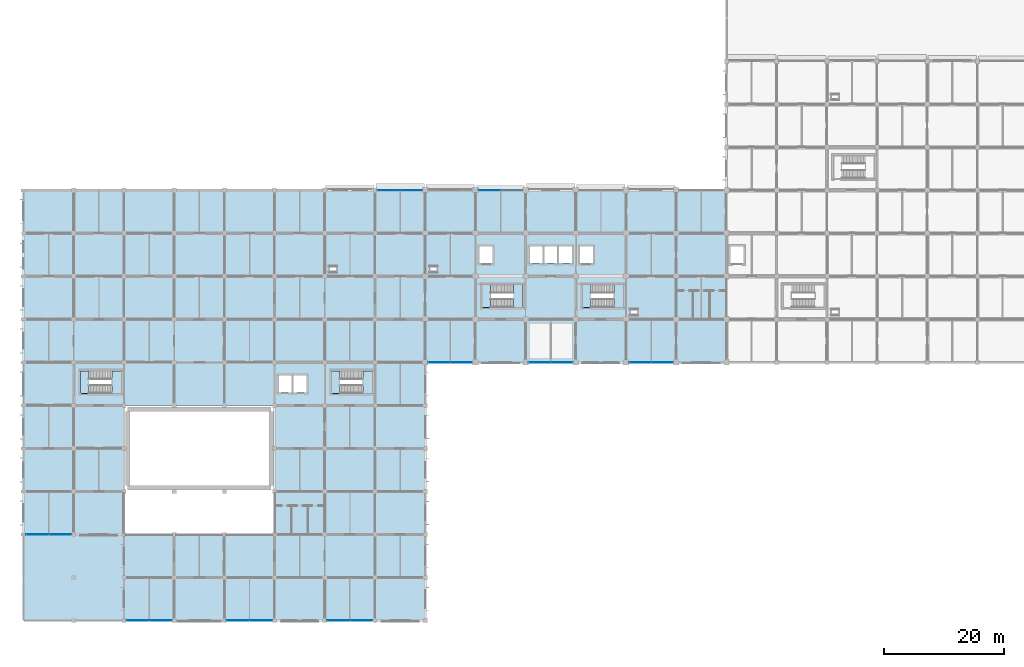
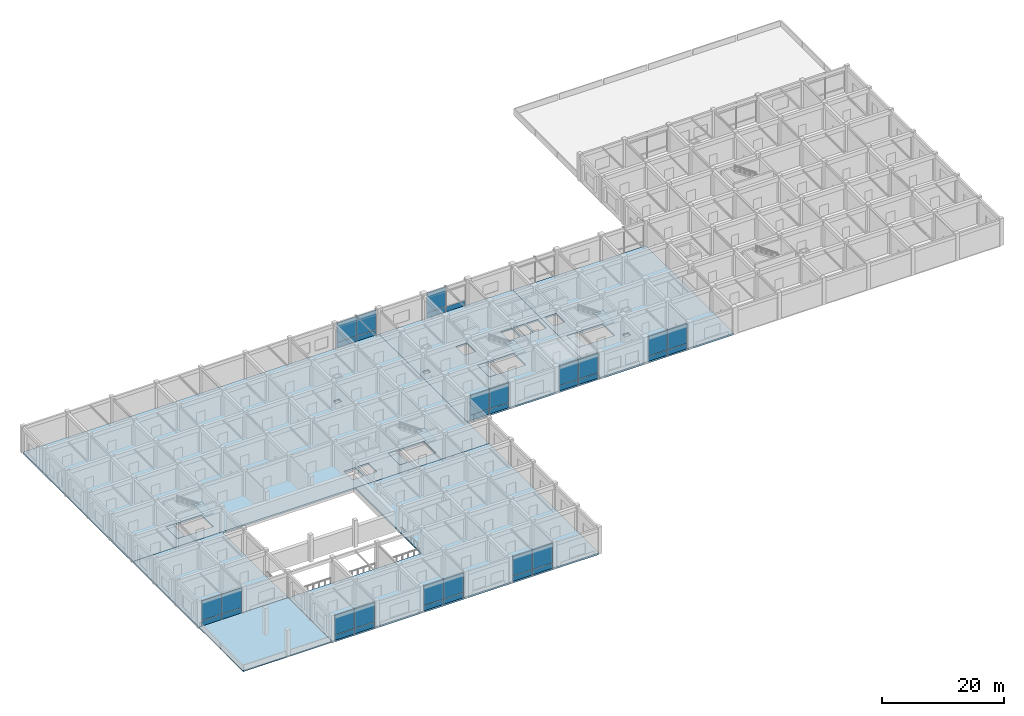
# One storey, part 16 of 41: 35 plates, 14 slabs, 13 elements without a shape of their own.
"""IFC4 building model written with IfcOpenShell, lengths in metres."""

from ifc_helpers import new_model, si_unit, derived_unit, direction, frame, origin, origin_2d, place, context, subcontext, project, spatial, polyline, rectangle, outline, extrude, material, layer, layer_set, type_object, element, aggregate, save


model = new_model("IFC4")

# Units and contexts
model_context = context("Model", 3, precision=1e-05, world=origin(), true_north=direction((0.0, 1.0)))
body_context = subcontext(model_context, "Body", "Model", "MODEL_VIEW")
ifc_project = project(units=[si_unit("LENGTHUNIT", "METRE"), si_unit("AREAUNIT", "SQUARE_METRE"), si_unit("VOLUMEUNIT", "CUBIC_METRE"), si_unit("PLANEANGLEUNIT", "RADIAN"), si_unit("MASSUNIT", "GRAM", prefix="KILO"), derived_unit("THERMALTRANSMITTANCEUNIT", [(si_unit("MASSUNIT", "GRAM", prefix="KILO"), 1), (si_unit("TIMEUNIT", "SECOND"), -3), (si_unit("THERMODYNAMICTEMPERATUREUNIT", "KELVIN"), -1)])], contexts=[model_context])

# Site, building, storey
site_placement = place(None, origin())
site = spatial("IfcSite", under=ifc_project, at=site_placement, CompositionType="ELEMENT")
building_placement = place(site_placement, origin())
building = spatial("IfcBuilding", under=site, at=building_placement, Name="Veldstrom Oceanarium and Marine Research Institute", CompositionType="ELEMENT")
storey_placement = place(building_placement, frame((0.0, 0.0, 6.0)))
storey = spatial("IfcBuildingStorey", under=building, at=storey_placement, Name="L01", CompositionType="ELEMENT", Elevation=6.0)

# Curtain wall, plates
ifc_material_1 = material(Name="Anodised Aluminium Framing", Category="aluminium")
curtain_wall_type = type_object("IfcCurtainWallType", Name="ARC-CW-CW02", PredefinedType="USERDEFINED", material=ifc_material_1)
curtain_wall_1_placement = place(storey_placement, origin())
curtain_wall_1 = element("IfcCurtainWall", 1, at=curtain_wall_1_placement, inside=storey, type_object=curtain_wall_type, Name="Curtain Wall CW02 CW-L01-003", ObjectType="Curtain wall", PredefinedType="USERDEFINED")
ifc_material_2 = material(Name="Insulated Aluminium Spandrel", Category="aluminium")
ifc_layer_1 = layer(ifc_material_2, 0.044921875)
ifc_layer_set_1 = layer_set([ifc_layer_1], Name="ARC-PLT-CP02")
plate_type_1 = type_object("IfcPlateType", Name="ARC-PLT-CP02", PredefinedType="CURTAIN_PANEL", material=ifc_layer_set_1)
plate_1_placement = place(storey_placement, frame((2.33251953125, 14.39990234375, 0.02001953125), z_axis=(0.0, 0.0, 1.0), x_axis=(1.0, 0.0, 0.0)))
plate_1 = element("IfcPlate", 2, at=plate_1_placement, type_object=plate_type_1, Name="Curtain Spandrel Panel CW-L01-003-PNL-S1", PredefinedType="CURTAIN_PANEL", context=body_context, shape_type="SweptSolid", body=[
    extrude(rectangle(XDim=3.705078125, YDim=0.044921875, at=origin_2d()), origin(), (0.0, 0.0, 1.0), 0.989990234375),
])
plate_2_placement = place(storey_placement, frame((6.117431640625, 14.39990234375, 0.02001953125), z_axis=(0.0, 0.0, 1.0), x_axis=(1.0, 0.0, 0.0)))
plate_2 = element("IfcPlate", 3, at=plate_2_placement, type_object=plate_type_1, Name="Curtain Spandrel Panel CW-L01-003-PNL-S2", PredefinedType="CURTAIN_PANEL", context=body_context, shape_type="SweptSolid", body=[
    extrude(rectangle(XDim=3.705078125, YDim=0.044921875, at=origin_2d()), origin(), (0.0, 0.0, 1.0), 0.989990234375),
])

curtain_wall_2_placement = place(storey_placement, origin())
curtain_wall_2 = element("IfcCurtainWall", 4, at=curtain_wall_2_placement, inside=storey, type_object=curtain_wall_type, Name="Curtain Wall CW02 CW-L01-004", ObjectType="Curtain wall", PredefinedType="USERDEFINED")
plate_3_placement = place(storey_placement, frame((19.094970703125, 0.0, 0.02001953125), z_axis=(0.0, 0.0, 1.0), x_axis=(1.0, 0.0, 0.0)))
plate_3 = element("IfcPlate", 5, at=plate_3_placement, type_object=plate_type_1, Name="Curtain Spandrel Panel CW-L01-004-PNL-S1", PredefinedType="CURTAIN_PANEL", context=body_context, shape_type="SweptSolid", body=[
    extrude(rectangle(XDim=3.72998046875, YDim=0.044921875, at=origin_2d()), origin(), (0.0, 0.0, 1.0), 0.989990234375),
])
plate_4_placement = place(storey_placement, frame((22.905029296875, 0.0, 0.02001953125), z_axis=(0.0, 0.0, 1.0), x_axis=(1.0, 0.0, 0.0)))
plate_4 = element("IfcPlate", 6, at=plate_4_placement, type_object=plate_type_1, Name="Curtain Spandrel Panel CW-L01-004-PNL-S2", PredefinedType="CURTAIN_PANEL", context=body_context, shape_type="SweptSolid", body=[
    extrude(rectangle(XDim=3.72998046875, YDim=0.044921875, at=origin_2d()), origin(), (0.0, 0.0, 1.0), 0.989990234375),
])

curtain_wall_3_placement = place(storey_placement, origin())
curtain_wall_3 = element("IfcCurtainWall", 7, at=curtain_wall_3_placement, inside=storey, type_object=curtain_wall_type, Name="Curtain Wall CW02 CW-L01-005", ObjectType="Curtain wall", PredefinedType="USERDEFINED")
plate_5_placement = place(storey_placement, frame((35.89501953125, 0.0, 0.02001953125), z_axis=(0.0, 0.0, 1.0), x_axis=(1.0, 0.0, 0.0)))
plate_5 = element("IfcPlate", 8, at=plate_5_placement, type_object=plate_type_1, Name="Curtain Spandrel Panel CW-L01-005-PNL-S1", PredefinedType="CURTAIN_PANEL", context=body_context, shape_type="SweptSolid", body=[
    extrude(rectangle(XDim=3.72998046875, YDim=0.044921875, at=origin_2d()), origin(), (0.0, 0.0, 1.0), 0.989990234375),
])
plate_6_placement = place(storey_placement, frame((39.705078125, 0.0, 0.02001953125), z_axis=(0.0, 0.0, 1.0), x_axis=(1.0, 0.0, 0.0)))
plate_6 = element("IfcPlate", 9, at=plate_6_placement, type_object=plate_type_1, Name="Curtain Spandrel Panel CW-L01-005-PNL-S2", PredefinedType="CURTAIN_PANEL", context=body_context, shape_type="SweptSolid", body=[
    extrude(rectangle(XDim=3.72998046875, YDim=0.044921875, at=origin_2d()), origin(), (0.0, 0.0, 1.0), 0.989990234375),
])

curtain_wall_4_placement = place(storey_placement, origin())
curtain_wall_4 = element("IfcCurtainWall", 10, at=curtain_wall_4_placement, inside=storey, type_object=curtain_wall_type, Name="Curtain Wall CW02 CW-L01-006", ObjectType="Curtain wall", PredefinedType="USERDEFINED")
plate_7_placement = place(storey_placement, frame((52.688720703125, 0.0, 0.02001953125), z_axis=(0.0, 0.0, 1.0), x_axis=(1.0, 0.0, 0.0)))
plate_7 = element("IfcPlate", 11, at=plate_7_placement, type_object=plate_type_1, Name="Curtain Spandrel Panel CW-L01-006-PNL-S1", PredefinedType="CURTAIN_PANEL", context=body_context, shape_type="SweptSolid", body=[
    extrude(rectangle(XDim=3.717529296875, YDim=0.044921875, at=origin_2d()), origin(), (0.0, 0.0, 1.0), 0.989990234375),
])
plate_8_placement = place(storey_placement, frame((56.486083984375, 0.0, 0.02001953125), z_axis=(0.0, 0.0, 1.0), x_axis=(1.0, 0.0, 0.0)))
plate_8 = element("IfcPlate", 12, at=plate_8_placement, type_object=plate_type_1, Name="Curtain Spandrel Panel CW-L01-006-PNL-S2", PredefinedType="CURTAIN_PANEL", context=body_context, shape_type="SweptSolid", body=[
    extrude(rectangle(XDim=3.717529296875, YDim=0.044921875, at=origin_2d()), origin(), (0.0, 0.0, 1.0), 0.989990234375),
])

curtain_wall_5_placement = place(storey_placement, origin())
curtain_wall_5 = element("IfcCurtainWall", 13, at=curtain_wall_5_placement, inside=storey, type_object=curtain_wall_type, Name="Curtain Wall CW02 CW-L01-007", ObjectType="Curtain wall", PredefinedType="USERDEFINED")
plate_9_placement = place(storey_placement, frame((61.070068359375, 72.0, 0.02001953125), z_axis=(0.0, 0.0, 1.0), x_axis=(1.0, 0.0, 0.0)))
plate_9 = element("IfcPlate", 14, at=plate_9_placement, type_object=plate_type_1, Name="Curtain Spandrel Panel CW-L01-007-PNL-S1", PredefinedType="CURTAIN_PANEL", context=body_context, shape_type="SweptSolid", body=[
    extrude(rectangle(XDim=3.679931640625, YDim=0.044921875, at=origin_2d()), origin(), (0.0, 0.0, 1.0), 0.989990234375),
])
plate_10_placement = place(storey_placement, frame((64.830078125, 72.0, 0.02001953125), z_axis=(0.0, 0.0, 1.0), x_axis=(1.0, 0.0, 0.0)))
plate_10 = element("IfcPlate", 15, at=plate_10_placement, type_object=plate_type_1, Name="Curtain Spandrel Panel CW-L01-007-PNL-S2", PredefinedType="CURTAIN_PANEL", context=body_context, shape_type="SweptSolid", body=[
    extrude(rectangle(XDim=3.679931640625, YDim=0.044921875, at=origin_2d()), origin(), (0.0, 0.0, 1.0), 0.989990234375),
])

curtain_wall_6_placement = place(storey_placement, origin())
curtain_wall_6 = element("IfcCurtainWall", 16, at=curtain_wall_6_placement, inside=storey, type_object=curtain_wall_type, Name="Curtain Wall CW02 CW-L01-008", ObjectType="Curtain wall", PredefinedType="USERDEFINED")
plate_11_placement = place(storey_placement, frame((69.538818359375, 43.199951171875, 0.02001953125), z_axis=(0.0, 0.0, 1.0), x_axis=(1.0, 0.0, 0.0)))
plate_11 = element("IfcPlate", 17, at=plate_11_placement, type_object=plate_type_1, Name="Curtain Spandrel Panel CW-L01-008-PNL-S1", PredefinedType="CURTAIN_PANEL", context=body_context, shape_type="SweptSolid", body=[
    extrude(rectangle(XDim=3.617431640625, YDim=0.044921875, at=origin_2d()), origin(), (0.0, 0.0, 1.0), 0.989990234375),
])
plate_12_placement = place(storey_placement, frame((73.236328125, 43.199951171875, 0.02001953125), z_axis=(0.0, 0.0, 1.0), x_axis=(1.0, 0.0, 0.0)))
plate_12 = element("IfcPlate", 18, at=plate_12_placement, type_object=plate_type_1, Name="Curtain Spandrel Panel CW-L01-008-PNL-S2", PredefinedType="CURTAIN_PANEL", context=body_context, shape_type="SweptSolid", body=[
    extrude(rectangle(XDim=3.617431640625, YDim=0.044921875, at=origin_2d()), origin(), (0.0, 0.0, 1.0), 0.989990234375),
])

curtain_wall_7_placement = place(storey_placement, origin())
curtain_wall_7 = element("IfcCurtainWall", 19, at=curtain_wall_7_placement, inside=storey, type_object=curtain_wall_type, Name="Curtain Wall CW02 CW-L01-009", ObjectType="Curtain wall", PredefinedType="USERDEFINED")
plate_13_placement = place(storey_placement, frame((77.9638671875, 72.0, 0.02001953125), z_axis=(0.0, 0.0, 1.0), x_axis=(1.0, 0.0, 0.0)))
plate_13 = element("IfcPlate", 20, at=plate_13_placement, type_object=plate_type_1, Name="Curtain Spandrel Panel CW-L01-009-PNL-S1", PredefinedType="CURTAIN_PANEL", context=body_context, shape_type="SweptSolid", body=[
    extrude(rectangle(XDim=3.617431640625, YDim=0.044921875, at=origin_2d()), origin(), (0.0, 0.0, 1.0), 0.989990234375),
])
plate_14_placement = place(storey_placement, frame((81.6611328125, 72.0, 0.02001953125), z_axis=(0.0, 0.0, 1.0), x_axis=(1.0, 0.0, 0.0)))
plate_14 = element("IfcPlate", 21, at=plate_14_placement, type_object=plate_type_1, Name="Curtain Spandrel Panel CW-L01-009-PNL-S2", PredefinedType="CURTAIN_PANEL", context=body_context, shape_type="SweptSolid", body=[
    extrude(rectangle(XDim=3.617431640625, YDim=0.044921875, at=origin_2d()), origin(), (0.0, 0.0, 1.0), 0.989990234375),
])

curtain_wall_8_placement = place(storey_placement, origin())
curtain_wall_8 = element("IfcCurtainWall", 22, at=curtain_wall_8_placement, inside=storey, type_object=curtain_wall_type, Name="Curtain Wall CW02 CW-L01-010", ObjectType="Curtain wall", PredefinedType="USERDEFINED")
plate_15_placement = place(storey_placement, frame((86.344970703125, 43.199951171875, 0.02001953125), z_axis=(0.0, 0.0, 1.0), x_axis=(1.0, 0.0, 0.0)))
plate_15 = element("IfcPlate", 23, at=plate_15_placement, type_object=plate_type_1, Name="Curtain Spandrel Panel CW-L01-010-PNL-S1", PredefinedType="CURTAIN_PANEL", context=body_context, shape_type="SweptSolid", body=[
    extrude(rectangle(XDim=3.6298828125, YDim=0.044921875, at=origin_2d()), origin(), (0.0, 0.0, 1.0), 0.989990234375),
])
plate_16_placement = place(storey_placement, frame((90.054931640625, 43.199951171875, 0.02001953125), z_axis=(0.0, 0.0, 1.0), x_axis=(1.0, 0.0, 0.0)))
plate_16 = element("IfcPlate", 24, at=plate_16_placement, type_object=plate_type_1, Name="Curtain Spandrel Panel CW-L01-010-PNL-S2", PredefinedType="CURTAIN_PANEL", context=body_context, shape_type="SweptSolid", body=[
    extrude(rectangle(XDim=3.6298828125, YDim=0.044921875, at=origin_2d()), origin(), (0.0, 0.0, 1.0), 0.989990234375),
])

curtain_wall_9_placement = place(storey_placement, origin())
curtain_wall_9 = element("IfcCurtainWall", 25, at=curtain_wall_9_placement, inside=storey, type_object=curtain_wall_type, Name="Curtain Wall CW02 CW-L01-012", ObjectType="Curtain wall", PredefinedType="USERDEFINED")
plate_17_placement = place(storey_placement, frame((103.163818359375, 43.199951171875, 0.02001953125), z_axis=(0.0, 0.0, 1.0), x_axis=(1.0, 0.0, 0.0)))
plate_17 = element("IfcPlate", 26, at=plate_17_placement, type_object=plate_type_1, Name="Curtain Spandrel Panel CW-L01-012-PNL-S1", PredefinedType="CURTAIN_PANEL", context=body_context, shape_type="SweptSolid", body=[
    extrude(rectangle(XDim=3.617431640625, YDim=0.044921875, at=origin_2d()), origin(), (0.0, 0.0, 1.0), 0.989990234375),
])
plate_18_placement = place(storey_placement, frame((106.861328125, 43.199951171875, 0.02001953125), z_axis=(0.0, 0.0, 1.0), x_axis=(1.0, 0.0, 0.0)))
plate_18 = element("IfcPlate", 27, at=plate_18_placement, type_object=plate_type_1, Name="Curtain Spandrel Panel CW-L01-012-PNL-S2", PredefinedType="CURTAIN_PANEL", context=body_context, shape_type="SweptSolid", body=[
    extrude(rectangle(XDim=3.617431640625, YDim=0.044921875, at=origin_2d()), origin(), (0.0, 0.0, 1.0), 0.989990234375),
])

# Plate
ifc_material_3 = material(Name="Double Glazed Low-E IGU", Category="glass")
ifc_layer_2 = layer(ifc_material_3, 0.035888671875)
ifc_layer_set_2 = layer_set([ifc_layer_2], Name="ARC-PLT-CP09")
plate_type_2 = type_object("IfcPlateType", Name="ARC-PLT-CP09", PredefinedType="CURTAIN_PANEL", material=ifc_layer_set_2)
plate_19_placement = place(storey_placement, frame((2.33251953125, 14.39990234375, 1.08984375), z_axis=(0.0, 0.0, 1.0), x_axis=(1.0, 0.0, 0.0)))
plate_19 = element("IfcPlate", 28, at=plate_19_placement, type_object=plate_type_2, Name="Curtain Vision Panel CW-L01-003-PNL-V1", PredefinedType="CURTAIN_PANEL", context=body_context, shape_type="SweptSolid", body=[
    extrude(rectangle(XDim=3.705078125, YDim=0.035888671875, at=origin_2d()), origin(), (0.0, 0.0, 1.0), 3.965087890625),
])

plate_20_placement = place(storey_placement, frame((6.117431640625, 14.39990234375, 1.08984375), z_axis=(0.0, 0.0, 1.0), x_axis=(1.0, 0.0, 0.0)))
plate_20 = element("IfcPlate", 29, at=plate_20_placement, type_object=plate_type_2, Name="Curtain Vision Panel CW-L01-003-PNL-V2", PredefinedType="CURTAIN_PANEL", context=body_context, shape_type="SweptSolid", body=[
    extrude(rectangle(XDim=3.705078125, YDim=0.035888671875, at=origin_2d()), origin(), (0.0, 0.0, 1.0), 3.965087890625),
])

aggregate(curtain_wall_1, [plate_1, plate_19, plate_2, plate_20])

plate_21_placement = place(storey_placement, frame((19.094970703125, 0.0, 1.08984375), z_axis=(0.0, 0.0, 1.0), x_axis=(1.0, 0.0, 0.0)))
plate_21 = element("IfcPlate", 30, at=plate_21_placement, type_object=plate_type_2, Name="Curtain Vision Panel CW-L01-004-PNL-V1", PredefinedType="CURTAIN_PANEL", context=body_context, shape_type="SweptSolid", body=[
    extrude(rectangle(XDim=3.72998046875, YDim=0.035888671875, at=origin_2d()), origin(), (0.0, 0.0, 1.0), 3.965087890625),
])

plate_22_placement = place(storey_placement, frame((22.905029296875, 0.0, 1.08984375), z_axis=(0.0, 0.0, 1.0), x_axis=(1.0, 0.0, 0.0)))
plate_22 = element("IfcPlate", 31, at=plate_22_placement, type_object=plate_type_2, Name="Curtain Vision Panel CW-L01-004-PNL-V2", PredefinedType="CURTAIN_PANEL", context=body_context, shape_type="SweptSolid", body=[
    extrude(rectangle(XDim=3.72998046875, YDim=0.035888671875, at=origin_2d()), origin(), (0.0, 0.0, 1.0), 3.965087890625),
])

aggregate(curtain_wall_2, [plate_3, plate_21, plate_4, plate_22])

plate_23_placement = place(storey_placement, frame((35.89501953125, 0.0, 1.08984375), z_axis=(0.0, 0.0, 1.0), x_axis=(1.0, 0.0, 0.0)))
plate_23 = element("IfcPlate", 32, at=plate_23_placement, type_object=plate_type_2, Name="Curtain Vision Panel CW-L01-005-PNL-V1", PredefinedType="CURTAIN_PANEL", context=body_context, shape_type="SweptSolid", body=[
    extrude(rectangle(XDim=3.72998046875, YDim=0.035888671875, at=origin_2d()), origin(), (0.0, 0.0, 1.0), 3.965087890625),
])

plate_24_placement = place(storey_placement, frame((39.705078125, 0.0, 1.08984375), z_axis=(0.0, 0.0, 1.0), x_axis=(1.0, 0.0, 0.0)))
plate_24 = element("IfcPlate", 33, at=plate_24_placement, type_object=plate_type_2, Name="Curtain Vision Panel CW-L01-005-PNL-V2", PredefinedType="CURTAIN_PANEL", context=body_context, shape_type="SweptSolid", body=[
    extrude(rectangle(XDim=3.72998046875, YDim=0.035888671875, at=origin_2d()), origin(), (0.0, 0.0, 1.0), 3.965087890625),
])

aggregate(curtain_wall_3, [plate_5, plate_23, plate_6, plate_24])

plate_25_placement = place(storey_placement, frame((52.688720703125, 0.0, 1.08984375), z_axis=(0.0, 0.0, 1.0), x_axis=(1.0, 0.0, 0.0)))
plate_25 = element("IfcPlate", 34, at=plate_25_placement, type_object=plate_type_2, Name="Curtain Vision Panel CW-L01-006-PNL-V1", PredefinedType="CURTAIN_PANEL", context=body_context, shape_type="SweptSolid", body=[
    extrude(rectangle(XDim=3.717529296875, YDim=0.035888671875, at=origin_2d()), origin(), (0.0, 0.0, 1.0), 3.965087890625),
])

plate_26_placement = place(storey_placement, frame((56.486083984375, 0.0, 1.08984375), z_axis=(0.0, 0.0, 1.0), x_axis=(1.0, 0.0, 0.0)))
plate_26 = element("IfcPlate", 35, at=plate_26_placement, type_object=plate_type_2, Name="Curtain Vision Panel CW-L01-006-PNL-V2", PredefinedType="CURTAIN_PANEL", context=body_context, shape_type="SweptSolid", body=[
    extrude(rectangle(XDim=3.717529296875, YDim=0.035888671875, at=origin_2d()), origin(), (0.0, 0.0, 1.0), 3.965087890625),
])

aggregate(curtain_wall_4, [plate_7, plate_25, plate_8, plate_26])

plate_27_placement = place(storey_placement, frame((61.070068359375, 72.0, 1.08984375), z_axis=(0.0, 0.0, 1.0), x_axis=(1.0, 0.0, 0.0)))
plate_27 = element("IfcPlate", 36, at=plate_27_placement, type_object=plate_type_2, Name="Curtain Vision Panel CW-L01-007-PNL-V1", PredefinedType="CURTAIN_PANEL", context=body_context, shape_type="SweptSolid", body=[
    extrude(rectangle(XDim=3.679931640625, YDim=0.035888671875, at=origin_2d()), origin(), (0.0, 0.0, 1.0), 3.965087890625),
])

plate_28_placement = place(storey_placement, frame((64.830078125, 72.0, 1.08984375), z_axis=(0.0, 0.0, 1.0), x_axis=(1.0, 0.0, 0.0)))
plate_28 = element("IfcPlate", 37, at=plate_28_placement, type_object=plate_type_2, Name="Curtain Vision Panel CW-L01-007-PNL-V2", PredefinedType="CURTAIN_PANEL", context=body_context, shape_type="SweptSolid", body=[
    extrude(rectangle(XDim=3.679931640625, YDim=0.035888671875, at=origin_2d()), origin(), (0.0, 0.0, 1.0), 3.965087890625),
])

aggregate(curtain_wall_5, [plate_9, plate_27, plate_10, plate_28])

plate_29_placement = place(storey_placement, frame((69.538818359375, 43.199951171875, 1.08984375), z_axis=(0.0, 0.0, 1.0), x_axis=(1.0, 0.0, 0.0)))
plate_29 = element("IfcPlate", 38, at=plate_29_placement, type_object=plate_type_2, Name="Curtain Vision Panel CW-L01-008-PNL-V1", PredefinedType="CURTAIN_PANEL", context=body_context, shape_type="SweptSolid", body=[
    extrude(rectangle(XDim=3.617431640625, YDim=0.035888671875, at=origin_2d()), origin(), (0.0, 0.0, 1.0), 3.965087890625),
])

plate_30_placement = place(storey_placement, frame((73.236328125, 43.199951171875, 1.08984375), z_axis=(0.0, 0.0, 1.0), x_axis=(1.0, 0.0, 0.0)))
plate_30 = element("IfcPlate", 39, at=plate_30_placement, type_object=plate_type_2, Name="Curtain Vision Panel CW-L01-008-PNL-V2", PredefinedType="CURTAIN_PANEL", context=body_context, shape_type="SweptSolid", body=[
    extrude(rectangle(XDim=3.617431640625, YDim=0.035888671875, at=origin_2d()), origin(), (0.0, 0.0, 1.0), 3.965087890625),
])

aggregate(curtain_wall_6, [plate_11, plate_29, plate_12, plate_30])

plate_31_placement = place(storey_placement, frame((77.9638671875, 72.0, 1.08984375), z_axis=(0.0, 0.0, 1.0), x_axis=(1.0, 0.0, 0.0)))
plate_31 = element("IfcPlate", 40, at=plate_31_placement, type_object=plate_type_2, Name="Curtain Vision Panel CW-L01-009-PNL-V1", PredefinedType="CURTAIN_PANEL", context=body_context, shape_type="SweptSolid", body=[
    extrude(rectangle(XDim=3.617431640625, YDim=0.035888671875, at=origin_2d()), origin(), (0.0, 0.0, 1.0), 3.965087890625),
])

aggregate(curtain_wall_7, [plate_13, plate_31, plate_14])

plate_32_placement = place(storey_placement, frame((86.344970703125, 43.199951171875, 1.08984375), z_axis=(0.0, 0.0, 1.0), x_axis=(1.0, 0.0, 0.0)))
plate_32 = element("IfcPlate", 41, at=plate_32_placement, type_object=plate_type_2, Name="Curtain Vision Panel CW-L01-010-PNL-V1", PredefinedType="CURTAIN_PANEL", context=body_context, shape_type="SweptSolid", body=[
    extrude(rectangle(XDim=3.6298828125, YDim=0.035888671875, at=origin_2d()), origin(), (0.0, 0.0, 1.0), 3.965087890625),
])

plate_33_placement = place(storey_placement, frame((90.054931640625, 43.199951171875, 1.08984375), z_axis=(0.0, 0.0, 1.0), x_axis=(1.0, 0.0, 0.0)))
plate_33 = element("IfcPlate", 42, at=plate_33_placement, type_object=plate_type_2, Name="Curtain Vision Panel CW-L01-010-PNL-V2", PredefinedType="CURTAIN_PANEL", context=body_context, shape_type="SweptSolid", body=[
    extrude(rectangle(XDim=3.6298828125, YDim=0.035888671875, at=origin_2d()), origin(), (0.0, 0.0, 1.0), 3.965087890625),
])

aggregate(curtain_wall_8, [plate_15, plate_32, plate_16, plate_33])

plate_34_placement = place(storey_placement, frame((103.163818359375, 43.199951171875, 1.08984375), z_axis=(0.0, 0.0, 1.0), x_axis=(1.0, 0.0, 0.0)))
plate_34 = element("IfcPlate", 43, at=plate_34_placement, type_object=plate_type_2, Name="Curtain Vision Panel CW-L01-012-PNL-V1", PredefinedType="CURTAIN_PANEL", context=body_context, shape_type="SweptSolid", body=[
    extrude(rectangle(XDim=3.617431640625, YDim=0.035888671875, at=origin_2d()), origin(), (0.0, 0.0, 1.0), 3.965087890625),
])

plate_35_placement = place(storey_placement, frame((106.861328125, 43.199951171875, 1.08984375), z_axis=(0.0, 0.0, 1.0), x_axis=(1.0, 0.0, 0.0)))
plate_35 = element("IfcPlate", 44, at=plate_35_placement, type_object=plate_type_2, Name="Curtain Vision Panel CW-L01-012-PNL-V2", PredefinedType="CURTAIN_PANEL", context=body_context, shape_type="SweptSolid", body=[
    extrude(rectangle(XDim=3.617431640625, YDim=0.035888671875, at=origin_2d()), origin(), (0.0, 0.0, 1.0), 3.965087890625),
])

aggregate(curtain_wall_9, [plate_17, plate_34, plate_18, plate_35])

# Slabs
ifc_material_4 = material(Name="Concrete C40/50", Category="concrete")
ifc_layer_3 = layer(ifc_material_4, 0.324951171875)
ifc_layer_set_3 = layer_set([ifc_layer_3], Name="STR-SLB-FL0325")
slab_type_1 = type_object("IfcSlabType", Name="STR-SLB-FL0325", PredefinedType="FLOOR", material=ifc_layer_set_3)
slab_1_placement = place(storey_placement, frame((0.0, 0.0, -0.324951171875)))
element("IfcSlab", 45, at=slab_1_placement, inside=storey, type_object=slab_type_1, Name="Slab SF-325 L01 WS", PredefinedType="FLOOR", context=body_context, shape_type="SweptSolid", body=[
    extrude(outline(polyline([(58.800048828125, 0.0), (50.39990234375, 0.0), (42.0, 0.0), (33.60009765625, 0.0), (25.199951171875, 0.0), (16.800048828125, 0.0), (16.800048828125, 7.199951171875), (16.800048828125, 14.39990234375), (25.199951171875, 14.39990234375), (33.60009765625, 14.39990234375), (42.0, 14.39990234375), (42.0, 21.60009765625), (42.0, 28.800048828125), (42.0, 36.0), (50.39990234375, 36.0), (58.800048828125, 36.0), (67.199951171875, 36.0), (67.199951171875, 28.800048828125), (67.199951171875, 21.60009765625), (67.199951171875, 14.39990234375), (67.199951171875, 7.199951171875), (67.199951171875, 0.0), (58.800048828125, 0.0)])), origin(), (0.0, 0.0, 1.0), 0.324951171875),
])
slab_2_placement = place(storey_placement, frame((0.0, 0.0, -0.324951171875)))
element("IfcSlab", 46, at=slab_2_placement, inside=storey, type_object=slab_type_1, Name="Slab SF-325 L01 WS", PredefinedType="FLOOR", context=body_context, shape_type="SweptSolid", body=[
    extrude(outline(polyline([(8.39990234375, 36.0), (16.800048828125, 36.0), (16.800048828125, 28.800048828125), (16.800048828125, 21.60009765625), (16.800048828125, 14.39990234375), (8.39990234375, 14.39990234375), (0.0, 14.39990234375), (0.0, 21.60009765625), (0.0, 28.800048828125), (0.0, 36.0), (8.39990234375, 36.0)])), origin(), (0.0, 0.0, 1.0), 0.324951171875),
])
slab_3_placement = place(storey_placement, frame((0.0, 0.0, -0.324951171875)))
element("IfcSlab", 47, at=slab_3_placement, inside=storey, type_object=slab_type_1, Name="Slab SF-325 L01 WN", PredefinedType="FLOOR", context=body_context, shape_type="SweptSolid", body=[
    extrude(outline(polyline([(58.800048828125, 72.0), (67.199951171875, 72.0), (67.199951171875, 64.800048828125), (67.199951171875, 57.60009765625), (67.199951171875, 50.39990234375), (67.199951171875, 43.199951171875), (67.199951171875, 36.0), (58.800048828125, 36.0), (50.39990234375, 36.0), (42.0, 36.0), (33.60009765625, 36.0), (25.199951171875, 36.0), (16.800048828125, 36.0), (8.39990234375, 36.0), (0.0, 36.0), (0.0, 43.199951171875), (0.0, 50.39990234375), (0.0, 57.60009765625), (0.0, 64.800048828125), (0.0, 72.0), (8.39990234375, 72.0), (16.800048828125, 72.0), (25.199951171875, 72.0), (33.60009765625, 72.0), (42.0, 72.0), (50.39990234375, 72.0), (58.800048828125, 72.0)]), holes=[polyline([(16.360107421875, 41.800048828125), (9.52001953125, 41.800048828125), (9.52001953125, 38.0), (16.360107421875, 38.0), (16.360107421875, 41.800048828125)]), polyline([(51.52001953125, 38.0), (58.360107421875, 38.0), (58.360107421875, 41.800048828125), (51.52001953125, 41.800048828125), (51.52001953125, 38.0)]), polyline([(44.85009765625, 38.199951171875), (44.85009765625, 41.0), (42.699951171875, 41.0), (42.699951171875, 38.199951171875), (44.85009765625, 38.199951171875)]), polyline([(45.14990234375, 38.199951171875), (47.300048828125, 38.199951171875), (47.300048828125, 41.0), (45.14990234375, 41.0), (45.14990234375, 38.199951171875)]), polyline([(52.300048828125, 59.199951171875), (51.199951171875, 59.199951171875), (51.199951171875, 58.39990234375), (52.300048828125, 58.39990234375), (52.300048828125, 59.199951171875)])]), origin(), (0.0, 0.0, 1.0), 0.324951171875),
])
slab_4_placement = place(storey_placement, frame((0.0, 0.0, -0.324951171875)))
element("IfcSlab", 48, at=slab_4_placement, inside=storey, type_object=slab_type_1, Name="Slab SF-325 L01 CW", PredefinedType="FLOOR", context=body_context, shape_type="SweptSolid", body=[
    extrude(outline(polyline([(67.199951171875, 64.800048828125), (67.199951171875, 72.0), (75.60009765625, 72.0), (84.0, 72.0), (92.39990234375, 72.0), (92.39990234375, 64.800048828125), (92.39990234375, 57.60009765625), (92.39990234375, 50.39990234375), (92.39990234375, 43.199951171875), (84.0, 43.199951171875), (75.60009765625, 43.199951171875), (67.199951171875, 43.199951171875), (67.199951171875, 50.39990234375), (67.199951171875, 57.60009765625), (67.199951171875, 64.800048828125)]), holes=[polyline([(76.719970703125, 52.39990234375), (83.56005859375, 52.39990234375), (83.56005859375, 56.199951171875), (76.719970703125, 56.199951171875), (76.719970703125, 52.39990234375)]), polyline([(78.449951171875, 62.60009765625), (76.300048828125, 62.60009765625), (76.300048828125, 59.800048828125), (78.449951171875, 59.800048828125), (78.449951171875, 62.60009765625)]), polyline([(84.699951171875, 59.800048828125), (86.85009765625, 59.800048828125), (86.85009765625, 62.60009765625), (84.699951171875, 62.60009765625), (84.699951171875, 59.800048828125)]), polyline([(87.14990234375, 62.60009765625), (87.14990234375, 59.800048828125), (89.300048828125, 59.800048828125), (89.300048828125, 62.60009765625), (87.14990234375, 62.60009765625)]), polyline([(91.75, 62.60009765625), (89.60009765625, 62.60009765625), (89.60009765625, 59.800048828125), (91.75, 59.800048828125), (91.75, 62.60009765625)]), polyline([(69.10009765625, 59.199951171875), (68.0, 59.199951171875), (68.0, 58.39990234375), (69.10009765625, 58.39990234375), (69.10009765625, 59.199951171875)])]), origin(), (0.0, 0.0, 1.0), 0.324951171875),
])
slab_5_placement = place(storey_placement, frame((0.0, 0.0, -0.324951171875)))
element("IfcSlab", 49, at=slab_5_placement, inside=storey, type_object=slab_type_1, Name="Slab SF-325 L01 CE", PredefinedType="FLOOR", context=body_context, shape_type="SweptSolid", body=[
    extrude(outline(polyline([(92.39990234375, 57.60009765625), (92.39990234375, 64.800048828125), (92.39990234375, 72.0), (100.800048828125, 72.0), (109.199951171875, 72.0), (117.60009765625, 72.0), (117.60009765625, 64.800048828125), (117.60009765625, 57.60009765625), (117.60009765625, 50.39990234375), (117.60009765625, 43.199951171875), (109.199951171875, 43.199951171875), (100.800048828125, 43.199951171875), (92.39990234375, 43.199951171875), (92.39990234375, 50.39990234375), (92.39990234375, 57.60009765625)]), holes=[polyline([(93.52001953125, 56.199951171875), (93.52001953125, 52.39990234375), (100.360107421875, 52.39990234375), (100.360107421875, 56.199951171875), (93.52001953125, 56.199951171875)]), polyline([(95.25, 59.800048828125), (95.25, 62.60009765625), (93.10009765625, 62.60009765625), (93.10009765625, 59.800048828125), (95.25, 59.800048828125)]), polyline([(102.699951171875, 52.0), (101.60009765625, 52.0), (101.60009765625, 51.199951171875), (102.699951171875, 51.199951171875), (102.699951171875, 52.0)])]), origin(), (0.0, 0.0, 1.0), 0.324951171875),
])

# Stair, slab
ifc_material_5 = material(Name="Concrete C40/50", Category="concrete")
stair_type = type_object("IfcStairType", Name="ARC-STR-ST-540", PredefinedType="TWO_STRAIGHT_RUN_STAIR", material=ifc_material_5)
stair_1_placement = place(storey_placement, origin())
stair_1 = element("IfcStair", 50, at=stair_1_placement, inside=storey, type_object=stair_type, Name="Dog-Leg Escape Stair ST1-L01", PredefinedType="TWO_STRAIGHT_RUN_STAIR")
ifc_material_6 = material(Name="Concrete C40/50", Category="concrete")
ifc_layer_4 = layer(ifc_material_6, 0.179931640625)
ifc_layer_set_4 = layer_set([ifc_layer_4], Name="STR-SLB-LD180")
slab_type_2 = type_object("IfcSlabType", Name="STR-SLB-LD180", PredefinedType="LANDING", material=ifc_layer_set_4)
slab_6_placement = place(storey_placement, frame((0.0, 0.0, 2.52001953125)))
slab_6 = element("IfcSlab", 51, at=slab_6_placement, type_object=slab_type_2, Name="Stair Half-Landing ST1 L01", PredefinedType="LANDING", context=body_context, shape_type="SweptSolid", body=[
    extrude(outline(polyline([(81.965087890625, 52.39990234375), (83.56005859375, 52.39990234375), (83.56005859375, 56.199951171875), (81.965087890625, 56.199951171875), (81.965087890625, 52.39990234375)])), origin(), (0.0, 0.0, 1.0), 0.179931640625),
])
aggregate(stair_1, [slab_6])

stair_2_placement = place(storey_placement, origin())
stair_2 = element("IfcStair", 52, at=stair_2_placement, inside=storey, type_object=stair_type, Name="Dog-Leg Escape Stair ST2-L01", PredefinedType="TWO_STRAIGHT_RUN_STAIR")
slab_7_placement = place(storey_placement, frame((0.0, 0.0, 2.52001953125)))
slab_7 = element("IfcSlab", 53, at=slab_7_placement, type_object=slab_type_2, Name="Stair Half-Landing ST2 L01", PredefinedType="LANDING", context=body_context, shape_type="SweptSolid", body=[
    extrude(outline(polyline([(98.764892578125, 52.39990234375), (100.360107421875, 52.39990234375), (100.360107421875, 56.199951171875), (98.764892578125, 56.199951171875), (98.764892578125, 52.39990234375)])), origin(), (0.0, 0.0, 1.0), 0.179931640625),
])
aggregate(stair_2, [slab_7])

stair_3_placement = place(storey_placement, origin())
stair_3 = element("IfcStair", 54, at=stair_3_placement, inside=storey, type_object=stair_type, Name="Dog-Leg Escape Stair ST3-L01", PredefinedType="TWO_STRAIGHT_RUN_STAIR")
slab_8_placement = place(storey_placement, frame((0.0, 0.0, 2.52001953125)))
slab_8 = element("IfcSlab", 55, at=slab_8_placement, type_object=slab_type_2, Name="Stair Half-Landing ST3 L01", PredefinedType="LANDING", context=body_context, shape_type="SweptSolid", body=[
    extrude(outline(polyline([(14.764892578125, 38.0), (16.360107421875, 38.0), (16.360107421875, 41.800048828125), (14.764892578125, 41.800048828125), (14.764892578125, 38.0)])), origin(), (0.0, 0.0, 1.0), 0.179931640625),
])
aggregate(stair_3, [slab_8])

stair_4_placement = place(storey_placement, origin())
stair_4 = element("IfcStair", 56, at=stair_4_placement, inside=storey, type_object=stair_type, Name="Dog-Leg Escape Stair ST6-L01", PredefinedType="TWO_STRAIGHT_RUN_STAIR")
slab_9_placement = place(storey_placement, frame((0.0, 0.0, 2.52001953125)))
slab_9 = element("IfcSlab", 57, at=slab_9_placement, type_object=slab_type_2, Name="Stair Half-Landing ST6 L01", PredefinedType="LANDING", context=body_context, shape_type="SweptSolid", body=[
    extrude(outline(polyline([(56.764892578125, 38.0), (58.360107421875, 38.0), (58.360107421875, 41.800048828125), (56.764892578125, 41.800048828125), (56.764892578125, 38.0)])), origin(), (0.0, 0.0, 1.0), 0.179931640625),
])
aggregate(stair_4, [slab_9])

# Slabs
ifc_material_7 = material(Name="Concrete C40/50", Category="concrete")
ifc_layer_5 = layer(ifc_material_7, 0.199951171875)
ifc_layer_set_5 = layer_set([ifc_layer_5], Name="STR-SLB-LD200")
slab_type_3 = type_object("IfcSlabType", Name="STR-SLB-LD200", PredefinedType="LANDING", material=ifc_layer_set_5)
slab_10_placement = place(storey_placement, frame((0.0, 0.0, -0.199951171875)))
element("IfcSlab", 58, at=slab_10_placement, inside=storey, type_object=slab_type_3, Name="Stair Floor Landing ST1 L01", PredefinedType="LANDING", context=body_context, shape_type="SweptSolid", body=[
    extrude(outline(polyline([(76.719970703125, 52.39990234375), (78.139892578125, 52.39990234375), (78.139892578125, 56.199951171875), (76.719970703125, 56.199951171875), (76.719970703125, 52.39990234375)])), origin(), (0.0, 0.0, 1.0), 0.199951171875),
])
slab_11_placement = place(storey_placement, frame((0.0, 0.0, -0.199951171875)))
element("IfcSlab", 59, at=slab_11_placement, inside=storey, type_object=slab_type_3, Name="Stair Floor Landing ST2 L01", PredefinedType="LANDING", context=body_context, shape_type="SweptSolid", body=[
    extrude(outline(polyline([(93.52001953125, 52.39990234375), (94.93994140625, 52.39990234375), (94.93994140625, 56.199951171875), (93.52001953125, 56.199951171875), (93.52001953125, 52.39990234375)])), origin(), (0.0, 0.0, 1.0), 0.199951171875),
])
slab_12_placement = place(storey_placement, frame((0.0, 0.0, -0.199951171875)))
element("IfcSlab", 60, at=slab_12_placement, inside=storey, type_object=slab_type_3, Name="Stair Floor Landing ST3 L01", PredefinedType="LANDING", context=body_context, shape_type="SweptSolid", body=[
    extrude(outline(polyline([(9.52001953125, 38.0), (10.93994140625, 38.0), (10.93994140625, 41.800048828125), (9.52001953125, 41.800048828125), (9.52001953125, 38.0)])), origin(), (0.0, 0.0, 1.0), 0.199951171875),
])
slab_13_placement = place(storey_placement, frame((0.0, 0.0, -0.199951171875)))
element("IfcSlab", 61, at=slab_13_placement, inside=storey, type_object=slab_type_3, Name="Stair Floor Landing ST6 L01", PredefinedType="LANDING", context=body_context, shape_type="SweptSolid", body=[
    extrude(outline(polyline([(51.52001953125, 38.0), (52.93994140625, 38.0), (52.93994140625, 41.800048828125), (51.52001953125, 41.800048828125), (51.52001953125, 38.0)])), origin(), (0.0, 0.0, 1.0), 0.199951171875),
])
ifc_material_8 = material(Name="Concrete C40/50", Category="concrete")
ifc_layer_6 = layer(ifc_material_8, 0.22509765625)
ifc_layer_set_6 = layer_set([ifc_layer_6], Name="STR-SLB-RF0225")
slab_type_4 = type_object("IfcSlabType", Name="STR-SLB-RF0225", PredefinedType="ROOF", material=ifc_layer_set_6)
slab_14_placement = place(storey_placement, frame((0.0, 0.0, -0.22509765625)))
element("IfcSlab", 62, at=slab_14_placement, inside=storey, type_object=slab_type_4, Name="Maintenance Roof Slab L00", PredefinedType="ROOF", context=body_context, shape_type="SweptSolid", body=[
    extrude(outline(polyline([(8.39990234375, 14.39990234375), (16.800048828125, 14.39990234375), (16.800048828125, 7.199951171875), (16.800048828125, 0.0), (8.39990234375, 0.0), (0.0, 0.0), (0.0, 7.199951171875), (0.0, 14.39990234375), (8.39990234375, 14.39990234375)])), origin(), (0.0, 0.0, 1.0), 0.22509765625),
])

save(model, "model.ifc")
